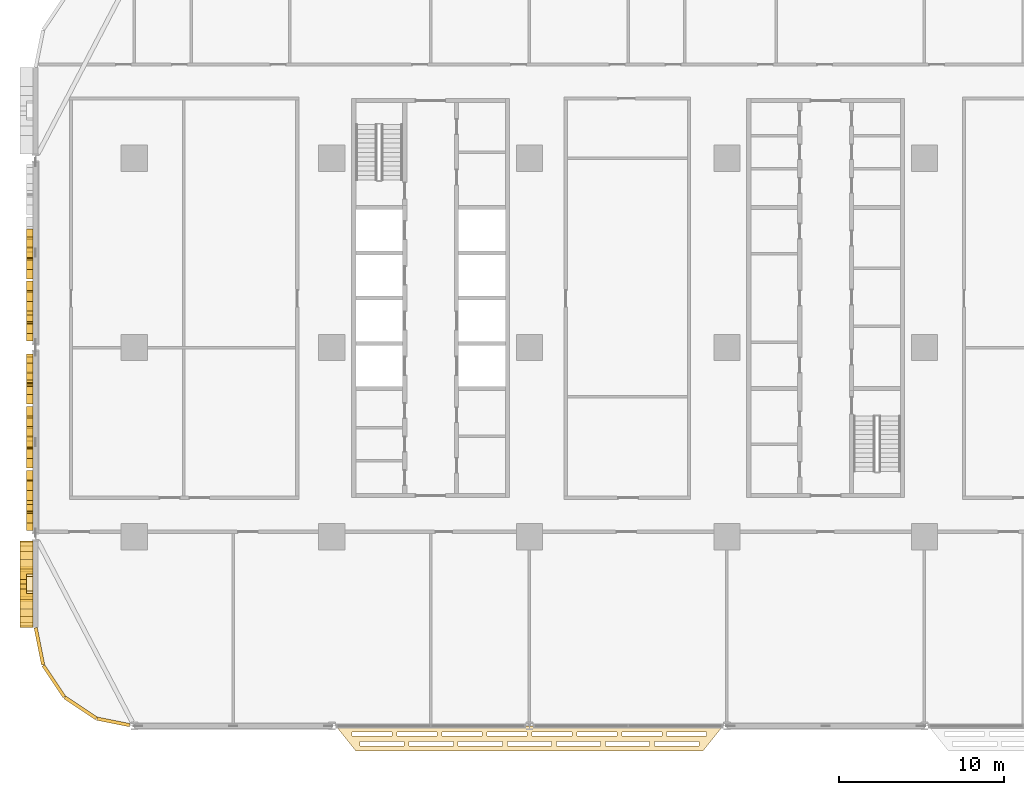
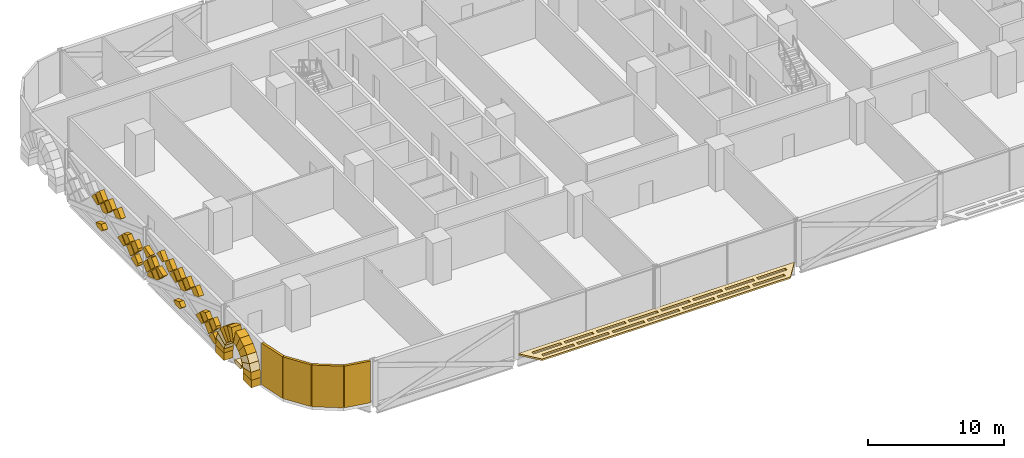
# One storey, part 22 of 29: 50 coverings.
"""IFC4 building model written with IfcOpenShell, lengths in metres."""

from ifc_helpers import new_model, si_unit, direction, frame, origin, origin_2d, place, context, subcontext, project, spatial, polyline, rectangle, outline, extrude, material, layer, layer_set, type_object, element, save


model = new_model("IFC4")

# Units and contexts
model_context = context("Model", 3, precision=1e-05, world=origin(), true_north=direction((0.0, 1.0)))
body_context = subcontext(model_context, "Body", "Model", "MODEL_VIEW")
ifc_project = project(units=[si_unit("LENGTHUNIT", "METRE"), si_unit("AREAUNIT", "SQUARE_METRE"), si_unit("VOLUMEUNIT", "CUBIC_METRE"), si_unit("PLANEANGLEUNIT", "RADIAN"), si_unit("MASSUNIT", "GRAM", prefix="KILO")], contexts=[model_context])

# Site, building, storey
site_placement = place(None, origin())
site = spatial("IfcSite", under=ifc_project, at=site_placement, CompositionType="ELEMENT")
building_placement = place(site_placement, origin())
building = spatial("IfcBuilding", under=site, at=building_placement, Name="Mahtab Terrace Research Tower", CompositionType="ELEMENT")
storey_placement = place(building_placement, frame((0.0, 0.0, 37.300048828125)))
storey = spatial("IfcBuildingStorey", under=building, at=storey_placement, Name="L08", CompositionType="ELEMENT", Elevation=37.300048828125)

# Coverings
ifc_material_1 = material(Name="Black aluminium cladding panel", Category="aluminium")
ifc_layer_1 = layer(ifc_material_1, 0.199951171875)
ifc_layer_set_1 = layer_set([ifc_layer_1], Name="Black metal corner cladding 200")
covering_type_1 = type_object("IfcCoveringType", Name="Black metal corner cladding 200", PredefinedType="CLADDING", material=ifc_layer_set_1)
for number, where, z_axis, x_axis, name in (
    (1, (-47.771484375, -18.14794921875, 0.0), (0.0, 0.0, 1.0), (0.195212442692, -0.980760981187, 0.0), "Corner cladding L08 18"),
    (2, (-46.89306640625, -20.26953125, 0.0), (0.0, 0.0, 1.0), (0.555291490808, -0.831655794326, 0.0), "Corner cladding L08 19"),
    (3, (-45.26953125, -21.89306640625, 0.0), (0.0, 0.0, 1.0), (0.831655794326, -0.555291490808, 0.0), "Corner cladding L08 20"),
):
    element("IfcCovering", number, at=place(storey_placement, frame(where, z_axis=z_axis, x_axis=x_axis)), inside=storey, type_object=covering_type_1, Name=name, PredefinedType="CLADDING", context=body_context, shape_type="SweptSolid", body=[
        extrude(rectangle(XDim=2.30126953125, YDim=0.199951171875, at=origin_2d()), origin(), (0.0, 0.0, 1.0), 3.75),
    ])
covering_1_placement = place(storey_placement, frame((-43.28173828125, -22.744873046875, 0.0), z_axis=(0.0, 0.0, 1.0), x_axis=(0.980760981187, -0.195212442692, 0.0)))
element("IfcCovering", 4, at=covering_1_placement, inside=storey, type_object=covering_type_1, Name="Corner cladding L08 21", PredefinedType="CLADDING", context=body_context, shape_type="SweptSolid", body=[
    extrude(rectangle(XDim=2.0283203125, YDim=0.199951171875, at=origin_2d()), origin(), (0.0, 0.0, 1.0), 3.75),
])
ifc_material_2 = material(Name="Black anodised aluminium", Category="aluminium")
ifc_layer_2 = layer(ifc_material_2, 0.14990234375)
ifc_layer_set_2 = layer_set([ifc_layer_2], Name="Horizontal sunshade band")
covering_type_2 = type_object("IfcCoveringType", Name="Horizontal sunshade band", PredefinedType="CLADDING", material=ifc_layer_set_2)
covering_2_placement = place(storey_placement, frame((0.0, 0.0, -0.150146484375)))
element("IfcCovering", 5, at=covering_2_placement, inside=storey, type_object=covering_type_2, Name="Sunshade band L08 23", PredefinedType="CLADDING", context=body_context, shape_type="SweptSolid", body=[
    extrude(outline(polyline([(-29.7509765625, -23.0), (-6.2490234375, -23.0), (-7.448974609375, -24.5), (-28.551025390625, -24.5), (-29.7509765625, -23.0)]), holes=[polyline([(-28.77099609375, -23.35009765625), (-26.341064453125, -23.35009765625), (-26.341064453125, -23.60009765625), (-28.77099609375, -23.60009765625), (-28.77099609375, -23.35009765625)]), polyline([(-26.041015625, -23.35009765625), (-23.611083984375, -23.35009765625), (-23.611083984375, -23.60009765625), (-26.041015625, -23.60009765625), (-26.041015625, -23.35009765625)]), polyline([(-23.31103515625, -23.35009765625), (-20.8798828125, -23.35009765625), (-20.8798828125, -23.60009765625), (-23.31103515625, -23.60009765625), (-23.31103515625, -23.35009765625)]), polyline([(-20.580078125, -23.35009765625), (-18.14990234375, -23.35009765625), (-18.14990234375, -23.60009765625), (-20.580078125, -23.60009765625), (-20.580078125, -23.35009765625)]), polyline([(-17.85009765625, -23.35009765625), (-15.419921875, -23.35009765625), (-15.419921875, -23.60009765625), (-17.85009765625, -23.60009765625), (-17.85009765625, -23.35009765625)]), polyline([(-15.1201171875, -23.35009765625), (-12.68994140625, -23.35009765625), (-12.68994140625, -23.60009765625), (-15.1201171875, -23.60009765625), (-15.1201171875, -23.35009765625)]), polyline([(-12.389892578125, -23.35009765625), (-9.958984375, -23.35009765625), (-9.958984375, -23.60009765625), (-12.389892578125, -23.60009765625), (-12.389892578125, -23.35009765625)]), polyline([(-9.658935546875, -23.35009765625), (-7.22900390625, -23.35009765625), (-7.22900390625, -23.60009765625), (-9.658935546875, -23.60009765625), (-9.658935546875, -23.35009765625)]), polyline([(-28.291015625, -23.949951171875), (-25.60791015625, -23.949951171875), (-25.60791015625, -24.199951171875), (-28.291015625, -24.199951171875), (-28.291015625, -23.949951171875)]), polyline([(-25.30810546875, -23.949951171875), (-22.625, -23.949951171875), (-22.625, -24.199951171875), (-25.30810546875, -24.199951171875), (-25.30810546875, -23.949951171875)]), polyline([(-22.324951171875, -23.949951171875), (-19.64208984375, -23.949951171875), (-19.64208984375, -24.199951171875), (-22.324951171875, -24.199951171875), (-22.324951171875, -23.949951171875)]), polyline([(-19.342041015625, -23.949951171875), (-16.657958984375, -23.949951171875), (-16.657958984375, -24.199951171875), (-19.342041015625, -24.199951171875), (-19.342041015625, -23.949951171875)]), polyline([(-16.35791015625, -23.949951171875), (-13.675048828125, -23.949951171875), (-13.675048828125, -24.199951171875), (-16.35791015625, -24.199951171875), (-16.35791015625, -23.949951171875)]), polyline([(-13.375, -23.949951171875), (-10.69189453125, -23.949951171875), (-10.69189453125, -24.199951171875), (-13.375, -24.199951171875), (-13.375, -23.949951171875)]), polyline([(-10.39208984375, -23.949951171875), (-7.708984375, -23.949951171875), (-7.708984375, -24.199951171875), (-10.39208984375, -24.199951171875), (-10.39208984375, -23.949951171875)])]), origin(), (0.0, 0.0, 1.0), 0.150146484375),
])
ifc_material_3 = material(Name="Bronze anodised aluminium", Category="aluminium")
ifc_layer_3 = layer(ifc_material_3, 0.39990234375)
ifc_layer_set_3 = layer_set([ifc_layer_3], Name="Mashrabiya relief panel 400")
covering_type_3 = type_object("IfcCoveringType", Name="Mashrabiya relief panel 400", PredefinedType="CLADDING", material=ifc_layer_set_3)
covering_3_placement = place(storey_placement, frame((-48.14990234375, 6.700927734375, 2.929931640625), z_axis=(1.0, 0.0, 0.0), x_axis=(0.0, -0.706957932274, -0.707255598772)))
element("IfcCovering", 6, at=covering_3_placement, inside=storey, type_object=covering_type_3, Name="Mashrabiya lattice cell L08 W15.9", PredefinedType="CLADDING", context=body_context, shape_type="SweptSolid", body=[
    extrude(outline(polyline([(0.0, 0.0), (0.8201817362875763, 0.0), (0.820251937907907, 0.33352789819111284), (0.00015239420065576992, 0.7240248473154902), (0.0, 0.0)])), origin(), (0.0, 0.0, -1.0), 0.39990234375),
])
covering_4_placement = place(storey_placement, frame((-48.14990234375, 6.631103515625, 0.39990234375), z_axis=(1.0, 0.0, 0.0), x_axis=(0.0, -0.708432188712, 0.705778884635)))
element("IfcCovering", 7, at=covering_4_placement, inside=storey, type_object=covering_type_3, Name="Mashrabiya lattice cell L08 W15.10", PredefinedType="CLADDING", context=body_context, shape_type="SweptSolid", body=[
    extrude(outline(polyline([(0.0, 0.0), (0.09201381291480297, 0.0), (0.8210032782144832, 0.3451083171758159), (0.82189203143578, 0.8188137841270318), (0.44710505712662874, 0.8193443153866835), (0.0008757976349805519, 0.3747863265298354), (0.0, 0.0)])), origin(), (0.0, 0.0, -1.0), 0.39990234375),
])
covering_5_placement = place(storey_placement, frame((-48.14990234375, 6.051025390625, 3.579833984375), z_axis=(1.0, 0.0, 0.0), x_axis=(0.0, -0.707255598772, -0.706957932274)))
element("IfcCovering", 8, at=covering_5_placement, inside=storey, type_object=covering_type_3, Name="Mashrabiya lattice cell L08 W15.11", PredefinedType="CLADDING", context=body_context, shape_type="SweptSolid", body=[
    extrude(outline(polyline([(0.0, 0.0), (0.8201817362875763, 0.0), (0.8200090664636573, 0.8203543334390104), (-0.0003452669753531423, 0.8201816636150915), (0.0, 0.0)])), origin(), (0.0, 0.0, -1.0), 0.39990234375),
])
covering_6_placement = place(storey_placement, frame((-48.14990234375, 5.98095703125, 2.349853515625), z_axis=(1.0, 0.0, 0.0), x_axis=(0.0, -0.707106781187, 0.707106781187)))
element("IfcCovering", 9, at=covering_6_placement, inside=storey, type_object=covering_type_3, Name="Mashrabiya lattice cell L08 W15.12", PredefinedType="CLADDING", context=body_context, shape_type="SweptSolid", body=[
    extrude(outline(polyline([(0.0, 0.0), (0.8203543516109556, 0.0), (0.820181718119455, 0.820181718119455), (0.5529450732764921, 0.820181718119455), (0.0001726334915006511, 0.5570882770725071), (0.0, 0.0)])), origin(), (0.0, 0.0, -1.0), 0.39990234375),
])
covering_7_placement = place(storey_placement, frame((-48.14990234375, 4.7509765625, 3.579833984375), z_axis=(1.0, 0.0, 0.0), x_axis=(0.0, -0.707255598772, -0.706957932274)))
element("IfcCovering", 10, at=covering_7_placement, inside=storey, type_object=covering_type_3, Name="Mashrabiya lattice cell L08 W15.13", PredefinedType="CLADDING", context=body_context, shape_type="SweptSolid", body=[
    extrude(outline(polyline([(0.0, 0.0), (0.8201817362875763, 0.0), (0.8200090664636573, 0.8203543334390104), (-0.0003452669753531423, 0.8201816636150915), (0.0, 0.0)])), origin(), (0.0, 0.0, -1.0), 0.39990234375),
])
covering_8_placement = place(storey_placement, frame((-48.14990234375, 4.031005859375, 3.0), z_axis=(1.0, 0.0, 0.0), x_axis=(0.0, -0.707255598772, 0.706957932274)))
element("IfcCovering", 11, at=covering_8_placement, inside=storey, type_object=covering_type_3, Name="Mashrabiya lattice cell L08 W15.14", PredefinedType="CLADDING", context=body_context, shape_type="SweptSolid", body=[
    extrude(outline(polyline([(0.0, 0.0), (0.8201817362875763, 0.0), (0.8203543334390104, 0.8200090664636573), (0.64789351558637, 0.8202179998574987), (0.00010777329497974053, 0.5120309244486754), (0.0, 0.0)])), origin(), (0.0, 0.0, -1.0), 0.39990234375),
])
covering_9_placement = place(storey_placement, frame((-48.14990234375, 2.801025390625, 1.6298828125), z_axis=(1.0, 0.0, 0.0), x_axis=(0.0, -0.707255598772, -0.706957932274)))
element("IfcCovering", 12, at=covering_9_placement, inside=storey, type_object=covering_type_3, Name="Mashrabiya lattice cell L08 W15.15", PredefinedType="CLADDING", context=body_context, shape_type="SweptSolid", body=[
    extrude(outline(polyline([(0.0, 0.0), (0.8201817362875763, 0.0), (0.8200924218037394, 0.4243331127089831), (-0.000171434391677161, 0.8144847948580074), (0.0, 0.0)])), origin(), (0.0, 0.0, -1.0), 0.39990234375),
])
covering_10_placement = place(storey_placement, frame((-48.14990234375, 1.571044921875, 1.699951171875), z_axis=(1.0, 0.0, 0.0), x_axis=(0.0, 0.706957932274, -0.707255598772)))
element("IfcCovering", 13, at=covering_10_placement, inside=storey, type_object=covering_type_3, Name="Mashrabiya lattice cell L08 W15.16", PredefinedType="CLADDING", context=body_context, shape_type="SweptSolid", body=[
    extrude(outline(polyline([(0.0, 0.0), (0.8201817362875763, 0.0), (0.8200090664636573, 0.8203543334390104), (0.5372354136494529, 0.8202948146739475), (-0.00011903753012598717, 0.5655473056284087), (0.0, 0.0)])), origin(), (0.0, 0.0, -1.0), 0.39990234375),
])
covering_11_placement = place(storey_placement, frame((-48.14990234375, 1.5009765625, 1.6298828125), z_axis=(1.0, 0.0, 0.0), x_axis=(0.0, -0.707255598772, -0.706957932274)))
element("IfcCovering", 14, at=covering_11_placement, inside=storey, type_object=covering_type_3, Name="Mashrabiya lattice cell L08 W15.17", PredefinedType="CLADDING", context=body_context, shape_type="SweptSolid", body=[
    extrude(outline(polyline([(0.0, 0.0), (0.8201817362875763, 0.0), (0.8200090664636573, 0.8203543334390104), (-0.0003452669753531423, 0.8201816636150915), (0.0, 0.0)])), origin(), (0.0, 0.0, -1.0), 0.39990234375),
])
covering_12_placement = place(storey_placement, frame((-48.14990234375, 1.430908203125, 0.39990234375), z_axis=(1.0, 0.0, 0.0), x_axis=(0.0, -0.706957932274, 0.707255598772)))
element("IfcCovering", 15, at=covering_12_placement, inside=storey, type_object=covering_type_3, Name="Mashrabiya lattice cell L08 W15.18", PredefinedType="CLADDING", context=body_context, shape_type="SweptSolid", body=[
    extrude(outline(polyline([(0.0, 0.0), (0.8201817362875763, 0.0), (0.8200427138241264, 0.6604957238505165), (0.6601504568751633, 0.8203206860785415), (0.44539439820552335, 0.8202754837929869), (0.2629592091396244, 0.6377634799106391), (-1.7514068840263075e-05, 0.08320934106010165), (0.0, 0.0)])), origin(), (0.0, 0.0, -1.0), 0.39990234375),
])
covering_13_placement = place(storey_placement, frame((-48.14990234375, 0.85107421875, 1.119873046875), z_axis=(1.0, 0.0, 0.0), x_axis=(0.0, 0.706957932274, 0.707255598772)))
element("IfcCovering", 16, at=covering_13_placement, inside=storey, type_object=covering_type_3, Name="Mashrabiya lattice cell L08 W15.19", PredefinedType="CLADDING", context=body_context, shape_type="SweptSolid", body=[
    extrude(outline(polyline([(0.0, 0.0), (0.8201817362875763, 0.0), (0.8205270032629295, 0.8201816636150915), (0.16003127941241302, 0.8203206860785415), (0.00013902246344993374, 0.6604957238505165), (0.0, 0.0)])), origin(), (0.0, 0.0, -1.0), 0.39990234375),
])
covering_14_placement = place(storey_placement, frame((-48.14990234375, -0.89892578125, 1.6298828125), z_axis=(1.0, 0.0, 0.0), x_axis=(0.0, -0.707255598772, -0.706957932274)))
element("IfcCovering", 17, at=covering_14_placement, inside=storey, type_object=covering_type_3, Name="Mashrabiya lattice cell L08 W16.1", PredefinedType="CLADDING", context=body_context, shape_type="SweptSolid", body=[
    extrude(outline(polyline([(0.0, 0.0), (0.8201817362875763, 0.0), (0.8200090664636573, 0.8203543334390104), (0.09184101544392964, 0.8202010671685369), (-0.0001532662704735177, 0.7281680510197277), (0.0, 0.0)])), origin(), (0.0, 0.0, -1.0), 0.39990234375),
])
covering_15_placement = place(storey_placement, frame((-48.14990234375, -0.89892578125, 1.77001953125), z_axis=(1.0, 0.0, 0.0), x_axis=(0.0, 0.707106781187, 0.707106781187)))
element("IfcCovering", 18, at=covering_15_placement, inside=storey, type_object=covering_type_3, Name="Mashrabiya lattice cell L08 W16.2", PredefinedType="CLADDING", context=body_context, shape_type="SweptSolid", body=[
    extrude(outline(polyline([(0.0, 0.0), (0.7281680671496235, 0.0), (0.820181718119455, 0.0920136509698315), (0.820181718119455, 0.3506186212377632), (-0.0001726334915005956, 0.7411155790121702), (0.0, 0.0)])), origin(), (0.0, 0.0, -1.0), 0.39990234375),
])
covering_16_placement = place(storey_placement, frame((-48.14990234375, -0.968994140625, 0.39990234375), z_axis=(1.0, 0.0, 0.0), x_axis=(0.0, -0.707106781187, 0.707106781187)))
element("IfcCovering", 19, at=covering_16_placement, inside=storey, type_object=covering_type_3, Name="Mashrabiya lattice cell L08 W16.3", PredefinedType="CLADDING", context=body_context, shape_type="SweptSolid", body=[
    extrude(outline(polyline([(0.0, 0.0), (0.8203543516109556, 0.0), (0.8203543516109555, 0.6011098174051657), (0.0, 0.2106128596307588), (0.0, 0.0)])), origin(), (0.0, 0.0, -1.0), 0.39990234375),
])
covering_17_placement = place(storey_placement, frame((-48.14990234375, -2.12890625, 1.699951171875), z_axis=(1.0, 0.0, 0.0), x_axis=(0.0, 0.706957932274, -0.707255598772)))
element("IfcCovering", 20, at=covering_17_placement, inside=storey, type_object=covering_type_3, Name="Mashrabiya lattice cell L08 W16.4", PredefinedType="CLADDING", context=body_context, shape_type="SweptSolid", body=[
    extrude(outline(polyline([(0.0, 0.0), (0.8201817362875763, 0.0), (0.8200090664636573, 0.8203543334390104), (0.03245509568319316, 0.8201885675011489), (-0.00015864403434978636, 0.7537178071958586), (0.0, 0.0)])), origin(), (0.0, 0.0, -1.0), 0.39990234375),
])
covering_18_placement = place(storey_placement, frame((-48.14990234375, -1.618896484375, 1.050048828125), z_axis=(1.0, 0.0, 0.0), x_axis=(0.0, -0.707255598772, 0.706957932274)))
element("IfcCovering", 21, at=covering_18_placement, inside=storey, type_object=covering_type_3, Name="Mashrabiya lattice cell L08 W16.5", PredefinedType="CLADDING", context=body_context, shape_type="SweptSolid", body=[
    extrude(outline(polyline([(0.0, 0.0), (0.8201817362875763, 0.0), (0.8205270032629295, 0.8201816636150915), (0.3621851298179065, 0.8204507698263591), (0.00013633358151177166, 0.647720845762451), (0.0, 0.0)])), origin(), (0.0, 0.0, -1.0), 0.39990234375),
])
covering_19_placement = place(storey_placement, frame((-48.14990234375, -2.84912109375, 1.119873046875), z_axis=(1.0, 0.0, 0.0), x_axis=(0.0, 0.707106781187, 0.707106781187)))
element("IfcCovering", 22, at=covering_19_placement, inside=storey, type_object=covering_type_3, Name="Mashrabiya lattice cell L08 W16.6", PredefinedType="CLADDING", context=body_context, shape_type="SweptSolid", body=[
    extrude(outline(polyline([(0.0, 0.0), (0.8203543516109556, 0.0), (0.8203543516109555, 0.3055612799561009), (0.0001726334915006511, 0.6958856042390071), (0.0, 0.0)])), origin(), (0.0, 0.0, -1.0), 0.39990234375),
])
covering_20_placement = place(storey_placement, frame((-48.14990234375, -2.84912109375, 3.579833984375), z_axis=(1.0, 0.0, 0.0), x_axis=(0.0, -0.707106781187, -0.707106781187)))
element("IfcCovering", 23, at=covering_20_placement, inside=storey, type_object=covering_type_3, Name="Mashrabiya lattice cell L08 W16.7", PredefinedType="CLADDING", context=body_context, shape_type="SweptSolid", body=[
    extrude(outline(polyline([(0.0, 0.0), (0.8200090846279543, 0.0), (0.820181718119455, 0.28847056429753926), (-0.0001726334915006511, 0.6789675220719462), (0.0, 0.0)])), origin(), (0.0, 0.0, -1.0), 0.39990234375),
])
covering_21_placement = place(storey_placement, frame((-48.14990234375, -3.569091796875, 3.0), z_axis=(1.0, 0.0, 0.0), x_axis=(0.0, -0.707106781187, 0.707106781187)))
element("IfcCovering", 24, at=covering_21_placement, inside=storey, type_object=covering_type_3, Name="Mashrabiya lattice cell L08 W16.8", PredefinedType="CLADDING", context=body_context, shape_type="SweptSolid", body=[
    extrude(outline(polyline([(0.0, 0.0), (0.8200090846279543, 0.0), (0.820181718119455, 0.820181718119455), (0.04937317856917789, 0.8203543516109556), (-0.0001726334915006511, 0.716946890202083), (0.0, 0.0)])), origin(), (0.0, 0.0, -1.0), 0.39990234375),
])
covering_22_placement = place(storey_placement, frame((-48.14990234375, -4.799072265625, 2.929931640625), z_axis=(1.0, 0.0, 0.0), x_axis=(0.0, -0.706957932274, -0.707255598772)))
element("IfcCovering", 25, at=covering_22_placement, inside=storey, type_object=covering_type_3, Name="Mashrabiya lattice cell L08 W16.9", PredefinedType="CLADDING", context=body_context, shape_type="SweptSolid", body=[
    extrude(outline(polyline([(0.0, 0.0), (0.8201817362875763, 0.0), (0.820251937907907, 0.33352789819111284), (0.00015239420065576992, 0.7240248473154902), (0.0, 0.0)])), origin(), (0.0, 0.0, -1.0), 0.39990234375),
])
covering_23_placement = place(storey_placement, frame((-48.14990234375, -4.868896484375, 0.39990234375), z_axis=(1.0, 0.0, 0.0), x_axis=(0.0, -0.708432188712, 0.705778884635)))
element("IfcCovering", 26, at=covering_23_placement, inside=storey, type_object=covering_type_3, Name="Mashrabiya lattice cell L08 W16.10", PredefinedType="CLADDING", context=body_context, shape_type="SweptSolid", body=[
    extrude(outline(polyline([(0.0, 0.0), (0.09201381291480297, 0.0), (0.8210032782144832, 0.3451083171758159), (0.82189203143578, 0.8188137841270318), (0.44710505712662874, 0.8193443153866835), (0.0008757976349805519, 0.3747863265298354), (0.0, 0.0)])), origin(), (0.0, 0.0, -1.0), 0.39990234375),
])
covering_24_placement = place(storey_placement, frame((-48.14990234375, -5.448974609375, 3.579833984375), z_axis=(1.0, 0.0, 0.0), x_axis=(0.0, -0.707255598772, -0.706957932274)))
element("IfcCovering", 27, at=covering_24_placement, inside=storey, type_object=covering_type_3, Name="Mashrabiya lattice cell L08 W16.11", PredefinedType="CLADDING", context=body_context, shape_type="SweptSolid", body=[
    extrude(outline(polyline([(0.0, 0.0), (0.8201817362875763, 0.0), (0.8200090664636573, 0.8203543334390104), (-0.0003452669753531423, 0.8201816636150915), (0.0, 0.0)])), origin(), (0.0, 0.0, -1.0), 0.39990234375),
])
covering_25_placement = place(storey_placement, frame((-48.14990234375, -5.51904296875, 2.349853515625), z_axis=(1.0, 0.0, 0.0), x_axis=(0.0, -0.707106781187, 0.707106781187)))
element("IfcCovering", 28, at=covering_25_placement, inside=storey, type_object=covering_type_3, Name="Mashrabiya lattice cell L08 W16.12", PredefinedType="CLADDING", context=body_context, shape_type="SweptSolid", body=[
    extrude(outline(polyline([(0.0, 0.0), (0.8203543516109556, 0.0), (0.820181718119455, 0.820181718119455), (0.5529450732764921, 0.820181718119455), (0.0001726334915006511, 0.5570882770725071), (0.0, 0.0)])), origin(), (0.0, 0.0, -1.0), 0.39990234375),
])
covering_26_placement = place(storey_placement, frame((-48.14990234375, -6.7490234375, 3.579833984375), z_axis=(1.0, 0.0, 0.0), x_axis=(0.0, -0.707255598772, -0.706957932274)))
element("IfcCovering", 29, at=covering_26_placement, inside=storey, type_object=covering_type_3, Name="Mashrabiya lattice cell L08 W16.13", PredefinedType="CLADDING", context=body_context, shape_type="SweptSolid", body=[
    extrude(outline(polyline([(0.0, 0.0), (0.8201817362875763, 0.0), (0.8200090664636573, 0.8203543334390104), (-0.0003452669753531423, 0.8201816636150915), (0.0, 0.0)])), origin(), (0.0, 0.0, -1.0), 0.39990234375),
])
covering_27_placement = place(storey_placement, frame((-48.14990234375, -7.468994140625, 3.0), z_axis=(1.0, 0.0, 0.0), x_axis=(0.0, -0.707255598772, 0.706957932274)))
element("IfcCovering", 30, at=covering_27_placement, inside=storey, type_object=covering_type_3, Name="Mashrabiya lattice cell L08 W16.14", PredefinedType="CLADDING", context=body_context, shape_type="SweptSolid", body=[
    extrude(outline(polyline([(0.0, 0.0), (0.8201817362875763, 0.0), (0.8203543334390104, 0.8200090664636573), (0.64789351558637, 0.8202179998574987), (0.00010777329497974053, 0.5120309244486754), (0.0, 0.0)])), origin(), (0.0, 0.0, -1.0), 0.39990234375),
])
covering_28_placement = place(storey_placement, frame((-48.14990234375, -8.698974609375, 1.6298828125), z_axis=(1.0, 0.0, 0.0), x_axis=(0.0, -0.707255598772, -0.706957932274)))
element("IfcCovering", 31, at=covering_28_placement, inside=storey, type_object=covering_type_3, Name="Mashrabiya lattice cell L08 W16.15", PredefinedType="CLADDING", context=body_context, shape_type="SweptSolid", body=[
    extrude(outline(polyline([(0.0, 0.0), (0.8201817362875763, 0.0), (0.8200924218037394, 0.4243331127089831), (-0.000171434391677161, 0.8144847948580074), (0.0, 0.0)])), origin(), (0.0, 0.0, -1.0), 0.39990234375),
])
covering_29_placement = place(storey_placement, frame((-48.14990234375, -9.928955078125, 1.699951171875), z_axis=(1.0, 0.0, 0.0), x_axis=(0.0, 0.706957932274, -0.707255598772)))
element("IfcCovering", 32, at=covering_29_placement, inside=storey, type_object=covering_type_3, Name="Mashrabiya lattice cell L08 W16.16", PredefinedType="CLADDING", context=body_context, shape_type="SweptSolid", body=[
    extrude(outline(polyline([(0.0, 0.0), (0.8201817362875763, 0.0), (0.8200090664636573, 0.8203543334390104), (0.5372354136494529, 0.8202948146739475), (-0.00011903753012598717, 0.5655473056284087), (0.0, 0.0)])), origin(), (0.0, 0.0, -1.0), 0.39990234375),
])
covering_30_placement = place(storey_placement, frame((-48.14990234375, -9.9990234375, 1.6298828125), z_axis=(1.0, 0.0, 0.0), x_axis=(0.0, -0.707255598772, -0.706957932274)))
element("IfcCovering", 33, at=covering_30_placement, inside=storey, type_object=covering_type_3, Name="Mashrabiya lattice cell L08 W16.17", PredefinedType="CLADDING", context=body_context, shape_type="SweptSolid", body=[
    extrude(outline(polyline([(0.0, 0.0), (0.8201817362875763, 0.0), (0.8200090664636573, 0.8203543334390104), (-0.0003452669753531423, 0.8201816636150915), (0.0, 0.0)])), origin(), (0.0, 0.0, -1.0), 0.39990234375),
])
covering_31_placement = place(storey_placement, frame((-48.14990234375, -10.069091796875, 0.39990234375), z_axis=(1.0, 0.0, 0.0), x_axis=(0.0, -0.706957932274, 0.707255598772)))
element("IfcCovering", 34, at=covering_31_placement, inside=storey, type_object=covering_type_3, Name="Mashrabiya lattice cell L08 W16.18", PredefinedType="CLADDING", context=body_context, shape_type="SweptSolid", body=[
    extrude(outline(polyline([(0.0, 0.0), (0.8201817362875763, 0.0), (0.8200427138241264, 0.6604957238505165), (0.6601504568751633, 0.8203206860785415), (0.44539439820552335, 0.8202754837929869), (0.2629592091396244, 0.6377634799106391), (-1.7514068840263075e-05, 0.08320934106010165), (0.0, 0.0)])), origin(), (0.0, 0.0, -1.0), 0.39990234375),
])
covering_32_placement = place(storey_placement, frame((-48.14990234375, -10.64892578125, 1.119873046875), z_axis=(1.0, 0.0, 0.0), x_axis=(0.0, 0.706957932274, 0.707255598772)))
element("IfcCovering", 35, at=covering_32_placement, inside=storey, type_object=covering_type_3, Name="Mashrabiya lattice cell L08 W16.19", PredefinedType="CLADDING", context=body_context, shape_type="SweptSolid", body=[
    extrude(outline(polyline([(0.0, 0.0), (0.8201817362875763, 0.0), (0.8205270032629295, 0.8201816636150915), (0.16003127941241302, 0.8203206860785415), (0.00013902246344993374, 0.6604957238505165), (0.0, 0.0)])), origin(), (0.0, 0.0, -1.0), 0.39990234375),
])
covering_33_placement = place(storey_placement, frame((-48.14990234375, -13.76904296875, 0.39990234375), z_axis=(1.0, 0.0, 0.0), x_axis=(0.0, -0.707106781187, 0.707106781187)))
element("IfcCovering", 36, at=covering_33_placement, inside=storey, type_object=covering_type_3, Name="Mashrabiya lattice cell L08 W17.1", PredefinedType="CLADDING", context=body_context, shape_type="SweptSolid", body=[
    extrude(outline(polyline([(0.0, 0.0), (0.19369477746369784, 0.0), (0.820181718119455, 0.626486940655757), (0.820181718119455, 0.820181718119455), (0.44556704156310534, 0.820181718119455), (0.0, 0.37461467655634967), (0.0, 0.0)])), origin(), (0.0, 0.0, -1.0), 0.39990234375),
])
ifc_material_4 = material(Name="Glazed ceramic tile cladding", Category="masonry")
ifc_layer_4 = layer(ifc_material_4, 0.800048828125)
ifc_layer_set_4 = layer_set([ifc_layer_4], Name="Pishtaq frame arch course 800")
covering_type_4 = type_object("IfcCoveringType", Name="Pishtaq frame arch course 800", PredefinedType="CLADDING", material=ifc_layer_set_4)
covering_34_placement = place(storey_placement, frame((-48.14990234375, -11.7490234375, 0.671875), z_axis=(1.0, 0.0, 0.0), x_axis=(0.0, -0.110195146614, 0.993909970602)))
element("IfcCovering", 37, at=covering_34_placement, inside=storey, type_object=covering_type_4, Name="Pishtaq frame arch course 17a1", PredefinedType="CLADDING", context=body_context, shape_type="SweptSolid", body=[
    extrude(outline(polyline([(0.0, 0.0), (0.6801676314961773, -1.3877787807814457e-17), (0.5478837154732193, 1.1929849369831025), (0.13222879531472717, 1.1926434339624739), (0.0, 0.0)])), origin(), (0.0, 0.0, -1.0), 0.800048828125),
])
covering_35_placement = place(storey_placement, frame((-48.14990234375, -11.823974609375, 1.347900390625), z_axis=(1.0, 0.0, 0.0), x_axis=(0.0, -0.325381198062, 0.945582929175)))
element("IfcCovering", 38, at=covering_35_placement, inside=storey, type_object=covering_type_4, Name="Pishtaq frame arch course 17a2", PredefinedType="CLADDING", context=body_context, shape_type="SweptSolid", body=[
    extrude(outline(polyline([(0.0, 0.0), (0.6790412812444202, 0.0), (0.5470403803633785, 1.1928213951131352), (0.1324367168902943, 1.1929679837809), (0.0, 0.0)])), origin(), (0.0, 0.0, -1.0), 0.800048828125),
])
covering_36_placement = place(storey_placement, frame((-48.14990234375, -12.044921875, 1.989990234375), z_axis=(1.0, 0.0, 0.0), x_axis=(0.0, -0.525118389187, 0.851029187124)))
element("IfcCovering", 39, at=covering_36_placement, inside=storey, type_object=covering_type_4, Name="Pishtaq frame arch course 17a3", PredefinedType="CLADDING", context=body_context, shape_type="SweptSolid", body=[
    extrude(outline(polyline([(0.0, 0.0), (0.6801851577276807, 0.0), (0.5479203360201509, 1.1929737390110295), (0.13320649399408208, 1.1926873640778028), (0.0, 0.0)])), origin(), (0.0, 0.0, -1.0), 0.800048828125),
])
covering_37_placement = place(storey_placement, frame((-48.14990234375, -12.402099609375, 2.56884765625), z_axis=(1.0, 0.0, 0.0), x_axis=(0.0, -0.698795108876, 0.715321882659)))
element("IfcCovering", 40, at=covering_37_placement, inside=storey, type_object=covering_type_4, Name="Pishtaq frame arch course 17a4", PredefinedType="CLADDING", context=body_context, shape_type="SweptSolid", body=[
    extrude(outline(polyline([(0.0, 0.0), (0.6795318249848916, 0.0), (0.5475020101360037, 1.1928170207729754), (0.13228830883209008, 1.1929711347629608), (0.0, 0.0)])), origin(), (0.0, 0.0, -1.0), 0.800048828125),
])
covering_38_placement = place(storey_placement, frame((-48.14990234375, -12.876953125, 3.054931640625), z_axis=(1.0, 0.0, 0.0), x_axis=(0.0, -0.837646339472, 0.546212971256)))
element("IfcCovering", 41, at=covering_38_placement, inside=storey, type_object=covering_type_4, Name="Pishtaq frame arch course 17a5", PredefinedType="CLADDING", context=body_context, shape_type="SweptSolid", body=[
    extrude(outline(polyline([(0.0, 0.0), (0.6793938802782071, -5.551115123125783e-17), (0.5448521588144233, 1.193235816043659), (0.13056350986106346, 1.192978410092785), (0.0, 0.0)])), origin(), (0.0, 0.0, -1.0), 0.800048828125),
])
covering_39_placement = place(storey_placement, frame((-48.14990234375, -13.446044921875, 3.426025390625), z_axis=(1.0, 0.0, 0.0), x_axis=(0.0, -0.937956433213, 0.346753124563)))
element("IfcCovering", 42, at=covering_39_placement, inside=storey, type_object=covering_type_4, Name="Pishtaq frame arch course 17a6", PredefinedType="CLADDING", context=body_context, shape_type="SweptSolid", body=[
    extrude(outline(polyline([(0.0, 0.0), (0.6801376167757879, 0.0), (0.5495399418726914, 1.1925214945326406), (0.13355171437471614, 1.193347027101249), (0.0, 0.0)])), origin(), (0.0, 0.0, -1.0), 0.800048828125),
])
covering_40_placement = place(storey_placement, frame((-48.14990234375, -15.800048828125, 0.671875), z_axis=(1.0, 0.0, 0.0), x_axis=(0.0, 0.111011707821, 0.993819098592)))
element("IfcCovering", 43, at=covering_40_placement, inside=storey, type_object=covering_type_4, Name="Pishtaq frame arch course 17b1", PredefinedType="CLADDING", context=body_context, shape_type="SweptSolid", body=[
    extrude(outline(polyline([(0.0, 0.0), (0.4156550604482948, 0.0), (0.5469587730372103, 1.1930932190601509), (-0.13320862889221355, 1.1925343919874354), (0.0, 0.0)])), origin(), (0.0, 0.0, -1.0), 0.800048828125),
])
covering_41_placement = place(storey_placement, frame((-48.14990234375, -15.75390625, 1.0849609375), z_axis=(1.0, 0.0, 0.0), x_axis=(0.0, 0.32557334048, 0.945516789893)))
element("IfcCovering", 44, at=covering_41_placement, inside=storey, type_object=covering_type_4, Name="Pishtaq frame arch course 17b2", PredefinedType="CLADDING", context=body_context, shape_type="SweptSolid", body=[
    extrude(outline(polyline([(0.0, 0.0), (0.41468311080392084, 0.0), (0.5463621335411046, 1.1930790330617003), (-0.13267913368345122, 1.1929410470731379), (0.0, 0.0)])), origin(), (0.0, 0.0, -1.0), 0.800048828125),
])
covering_42_placement = place(storey_placement, frame((-48.14990234375, -15.618896484375, 1.47705078125), z_axis=(1.0, 0.0, 0.0), x_axis=(0.0, 0.525705930335, 0.850666371035)))
element("IfcCovering", 45, at=covering_42_placement, inside=storey, type_object=covering_type_4, Name="Pishtaq frame arch course 17b3", PredefinedType="CLADDING", context=body_context, shape_type="SweptSolid", body=[
    extrude(outline(polyline([(0.0, 0.0), (0.41471394090219044, 0.0), (0.5460265935082708, 1.1932724704312925), (-0.1341584020496253, 1.1928027780483883), (0.0, 0.0)])), origin(), (0.0, 0.0, -1.0), 0.800048828125),
])
covering_43_placement = place(storey_placement, frame((-48.14990234375, -15.40087890625, 1.829833984375), z_axis=(1.0, 0.0, 0.0), x_axis=(0.0, 0.69822828771, 0.715875169455)))
element("IfcCovering", 46, at=covering_43_placement, inside=storey, type_object=covering_type_4, Name="Pishtaq frame arch course 17b4", PredefinedType="CLADDING", context=body_context, shape_type="SweptSolid", body=[
    extrude(outline(polyline([(0.0, 0.0), (0.41504322723094267, 2.7755575615628914e-17), (0.5480178234970952, 1.1927120665955395), (-0.13151378831441152, 1.1932503194664719), (0.0, 0.0)])), origin(), (0.0, 0.0, -1.0), 0.800048828125),
])
covering_44_placement = place(storey_placement, frame((-48.14990234375, -15.111083984375, 2.126953125), z_axis=(1.0, 0.0, 0.0), x_axis=(0.0, 0.837985550936, 0.545692419245)))
element("IfcCovering", 47, at=covering_44_placement, inside=storey, type_object=covering_type_4, Name="Pishtaq frame arch course 17b5", PredefinedType="CLADDING", context=body_context, shape_type="SweptSolid", body=[
    extrude(outline(polyline([(0.0, 0.0), (0.4142887289191245, 0.0), (0.5480890429123778, 1.1933191792136424), (-0.13130470622962576, 1.1928970580803275), (0.0, 0.0)])), origin(), (0.0, 0.0, -1.0), 0.800048828125),
])
covering_45_placement = place(storey_placement, frame((-48.14990234375, -14.763916015625, 2.35302734375), z_axis=(1.0, 0.0, 0.0), x_axis=(0.0, 0.936980204786, 0.349382449242)))
element("IfcCovering", 48, at=covering_45_placement, inside=storey, type_object=covering_type_4, Name="Pishtaq frame arch course 17b6", PredefinedType="CLADDING", context=body_context, shape_type="SweptSolid", body=[
    extrude(outline(polyline([(0.0, 0.0), (0.41507388698109515, 0.0), (0.5499307356754715, 1.191809322733472), (-0.130204205993173, 1.1937169062409656), (0.0, 0.0)])), origin(), (0.0, 0.0, -1.0), 0.800048828125),
])
ifc_layer_5 = layer(ifc_material_4, 0.800048828125)
ifc_layer_set_5 = layer_set([ifc_layer_5], Name="Pishtaq frame pier 800")
covering_type_5 = type_object("IfcCoveringType", Name="Pishtaq frame pier 800", PredefinedType="CLADDING", material=ifc_layer_set_5)
for number, where, z_axis, x_axis, name in (
    (49, (-48.550048828125, -12.34912109375, 0.0), (0.0, 0.0, 1.0), (0.0, -1.0, 0.0), "Pishtaq frame pier 17a"),
    (50, (-48.550048828125, -16.39990234375, 0.0), (0.0, 0.0, 1.0), (0.0, -1.0, 0.0), "Pishtaq frame pier 17b"),
):
    element("IfcCovering", number, at=place(storey_placement, frame(where, z_axis=z_axis, x_axis=x_axis)), inside=storey, type_object=covering_type_5, Name=name, PredefinedType="CLADDING", context=body_context, shape_type="SweptSolid", body=[
        extrude(rectangle(XDim=1.199951171875, YDim=0.800048828125, at=origin_2d()), origin(), (0.0, 0.0, 1.0), 0.672119140625),
    ])

save(model, "model.ifc")
